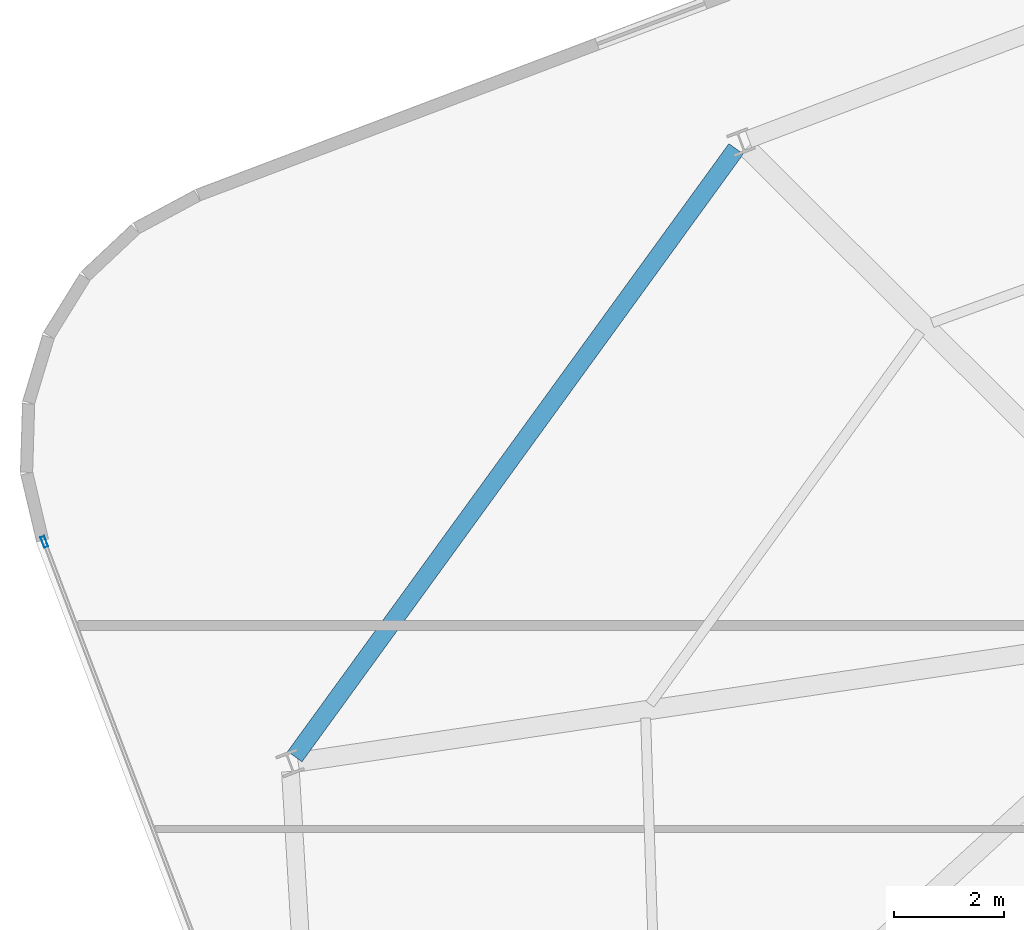
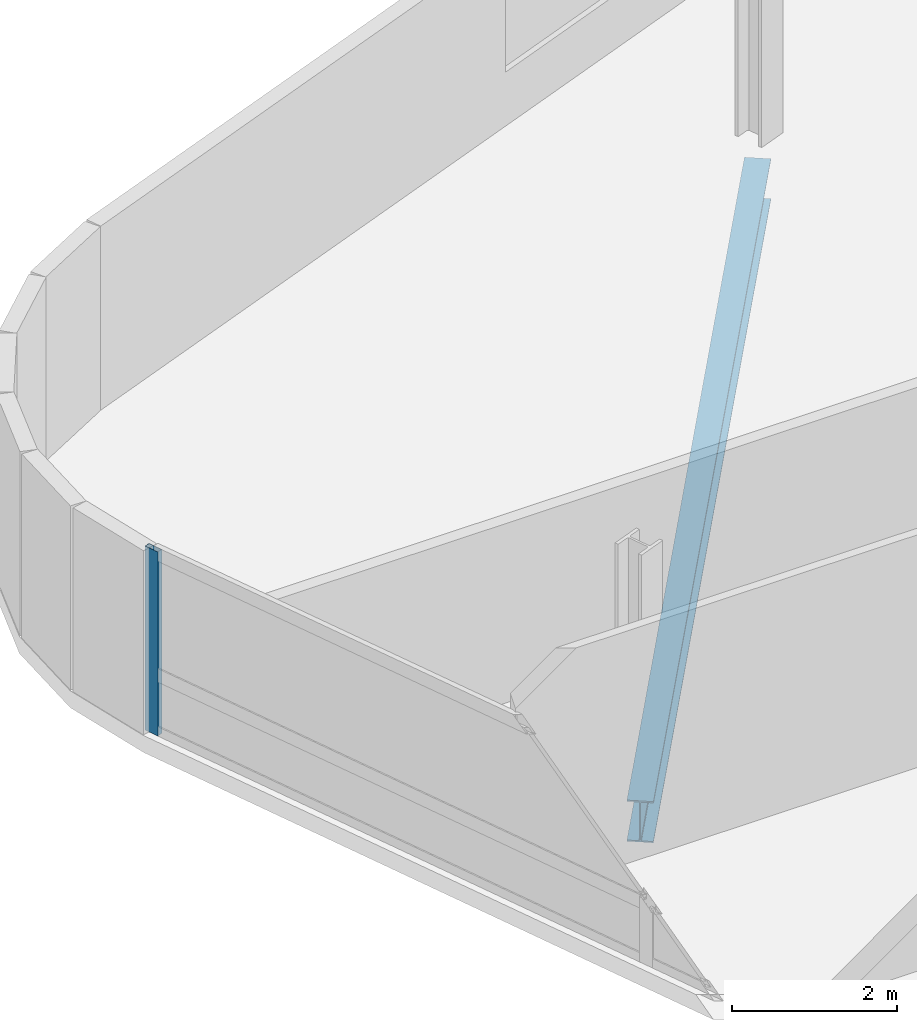
# One storey, part 8 of 20: 1 beam, 1 member, 1 element without a shape of its own.
"""IFC4 building model written with IfcOpenShell, lengths in metres."""

from ifc_helpers import new_model, si_unit, direction, frame, origin, origin_2d, place, context, subcontext, project, spatial, hollow_rectangle, i_section, extrude, material, layer, layer_set, material_profile, profile_set, type_object, element, aggregate, save


model = new_model("IFC4")

# Units and contexts
model_context = context("Model", 3, precision=1e-05, world=origin(), true_north=direction((0.0, 1.0)))
body_context = subcontext(model_context, "Body", "Model", "MODEL_VIEW")
ifc_project = project(units=[si_unit("LENGTHUNIT", "METRE"), si_unit("AREAUNIT", "SQUARE_METRE"), si_unit("VOLUMEUNIT", "CUBIC_METRE"), si_unit("PLANEANGLEUNIT", "RADIAN"), si_unit("MASSUNIT", "GRAM", prefix="KILO")], contexts=[model_context])

# Site, building, storey
site_placement = place(None, origin())
site = spatial("IfcSite", under=ifc_project, at=site_placement, CompositionType="ELEMENT")
building_placement = place(site_placement, origin())
building = spatial("IfcBuilding", under=site, at=building_placement, Name="Varnelok Gate Tower", CompositionType="ELEMENT")
storey_placement = place(building_placement, frame((0.0, 0.0, 238.60009765625)))
storey = spatial("IfcBuildingStorey", under=building, at=storey_placement, Name="L61", CompositionType="ELEMENT", Elevation=238.60009765625)

# Beam
ifc_material_1 = material(Name="Structural Steel ASTM A992 Grade 50", Category="steel")
ifc_material_profile_1 = material_profile(ifc_material_1, i_section(OverallWidth=0.323974609375, OverallDepth=0.611083984375, WebThickness=0.0126953125, FlangeThickness=0.01904296875, FilletRadius=0.01806640625, at=origin_2d()), Name="W24X104")
ifc_profile_set_1 = profile_set([ifc_material_profile_1], Name="Structural Steel ASTM A992 Grade 50")
beam_type = type_object("IfcBeamType", Name="BM-SPN-W24X104", PredefinedType="SPANDREL", material=ifc_profile_set_1)
beam_placement = place(storey_placement, frame((15.479736328125, 35.35009765625, -0.5556640625), z_axis=(-0.587549324529, -0.80918835338, 0.0), x_axis=(0.80918835338, -0.587549324529, 0.0)))
element("IfcBeam", 1, at=beam_placement, inside=storey, type_object=beam_type, Name="L61 Perimeter Spandrel Beam 13", PredefinedType="SPANDREL", context=body_context, shape_type="SweptSolid", body=[
    extrude(i_section(OverallWidth=0.323974609375, OverallDepth=0.611083984375, WebThickness=0.0126953125, FlangeThickness=0.01904296875, FilletRadius=0.01806640625, at=origin_2d()), origin(), (0.0, 0.0, 1.0), 13.6953125),
])

# Curtain wall, member
ifc_material_2 = material(Name="Anodized Aluminum Alloy 6063-T6", Category="aluminium")
ifc_layer = layer(ifc_material_2, 0.179931640625)
ifc_layer_set = layer_set([ifc_layer], Name="Anodized Aluminum Alloy 6063-T6")
curtain_wall_type = type_object("IfcCurtainWallType", Name="CW4-RESIDENCE-VISION", PredefinedType="USERDEFINED", material=ifc_layer_set)
curtain_wall_placement = place(storey_placement, origin())
curtain_wall = element("IfcCurtainWall", 2, at=curtain_wall_placement, inside=storey, type_object=curtain_wall_type, Name="L61 West End Vision Curtain Wall", ObjectType="UNITISED CURTAIN WALL", PredefinedType="USERDEFINED")
ifc_material_profile_2 = material_profile(ifc_material_2, hollow_rectangle(XDim=0.074951171875, YDim=0.199951171875, WallThickness=0.00390625, at=origin_2d()), Name="ALU200X75X4")
ifc_profile_set_2 = profile_set([ifc_material_profile_2], Name="Anodized Aluminum Alloy 6063-T6")
member_type = type_object("IfcMemberType", Name="CW-MULL-200", PredefinedType="MULLION", material=ifc_profile_set_2)
member_placement = place(storey_placement, frame((2.864990234375, 28.1845703125, 0.0), z_axis=(0.0, 0.0, 1.0), x_axis=(-0.935221557832, -0.354063042079, 0.0)))
member = element("IfcMember", 3, at=member_placement, type_object=member_type, Name="CW4 mullion 5", PredefinedType="MULLION", context=body_context, shape_type="SweptSolid", body=[
    extrude(hollow_rectangle(XDim=0.074951171875, YDim=0.199951171875, WallThickness=0.00390625, at=origin_2d()), origin(), (0.0, 0.0, 1.0), 2.72998046875),
])
aggregate(curtain_wall, [member])

save(model, "model.ifc")
